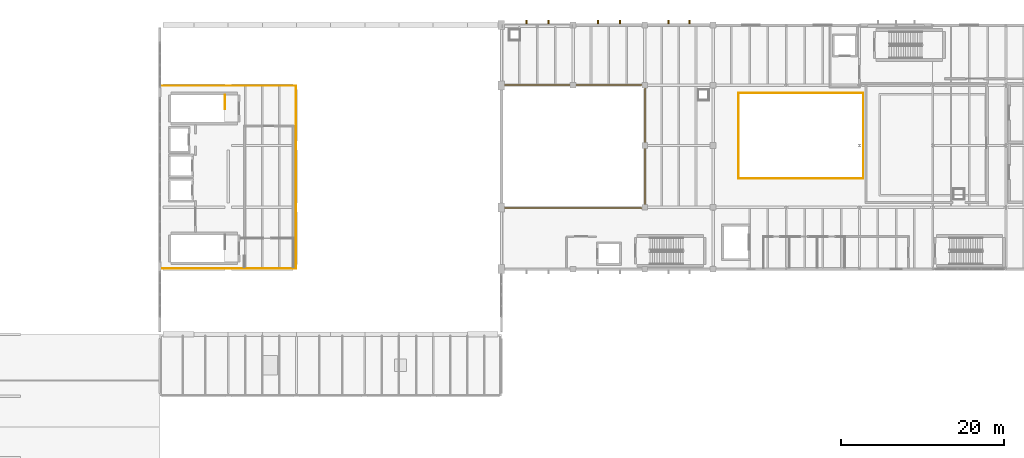
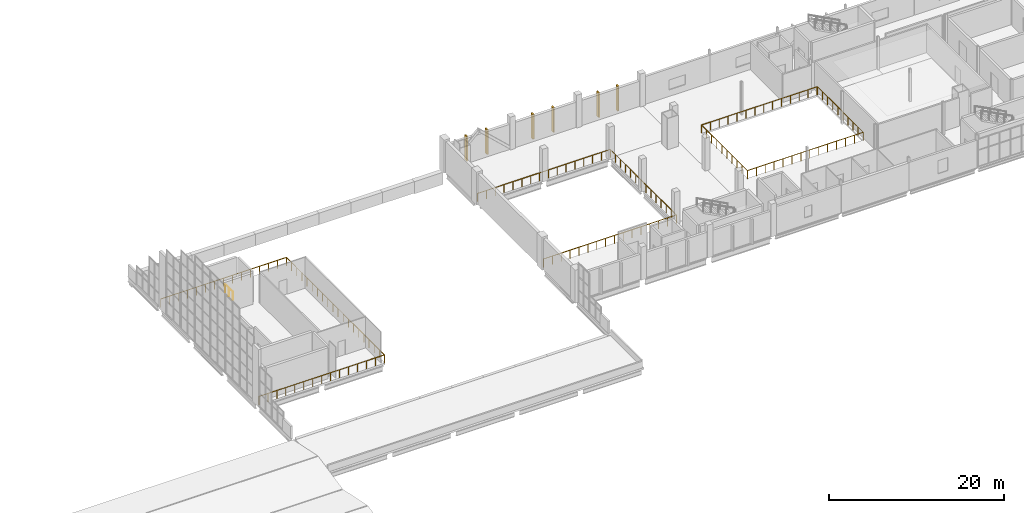
# One storey, part 35 of 37: 6 shading devices, 5 railings.
"""IFC4 building model written with IfcOpenShell, lengths in metres."""

from ifc_helpers import new_model, si_unit, direction, frame, origin, origin_2d, place, context, subcontext, project, spatial, rectangle, circle, extrude, material, layer, layer_set, type_object, element, save


model = new_model("IFC4")

# Units and contexts
model_context = context("Model", 3, precision=1e-05, world=origin(), true_north=direction((0.0, 1.0)))
body_context = subcontext(model_context, "Body", "Model", "MODEL_VIEW")
ifc_project = project(units=[si_unit("LENGTHUNIT", "METRE"), si_unit("AREAUNIT", "SQUARE_METRE"), si_unit("VOLUMEUNIT", "CUBIC_METRE"), si_unit("PLANEANGLEUNIT", "RADIAN"), si_unit("MASSUNIT", "GRAM", prefix="KILO")], contexts=[model_context])

# Site, building, storey
site_placement = place(None, origin())
site = spatial("IfcSite", under=ifc_project, at=site_placement, CompositionType="ELEMENT")
building_placement = place(site_placement, origin())
building = spatial("IfcBuilding", under=site, at=building_placement, Name="Shengluoqiao Park Theatre", CompositionType="ELEMENT")
storey_placement = place(building_placement, frame((0.0, 0.0, 19.199951171875)))
storey = spatial("IfcBuildingStorey", under=building, at=storey_placement, Name="L04", CompositionType="ELEMENT", Elevation=19.199951171875)

# Shading devices
ifc_material_1 = material(Name="Concrete C45", Category="concrete")
ifc_layer = layer(ifc_material_1, 0.179931640625, Name="Concrete C45")
ifc_layer_set = layer_set([ifc_layer], Name="Concrete C45")
shading_device_type = type_object("IfcShadingDeviceType", Name="ENV-FIN-450x180", PredefinedType="USERDEFINED", material=ifc_layer_set)
for number, where, z_axis, x_axis, name in (
    (1, (89.484619140625, 114.39990234375, 0.02001953125), (0.0, 0.0, 1.0), (0.0, 1.0, 0.0), "L04 Vertical Concrete Acoustic Rib 0096"),
    (2, (92.165283203125, 114.39990234375, 0.02001953125), (0.0, 0.0, 1.0), (0.0, 1.0, 0.0), "L04 Vertical Concrete Acoustic Rib 0097"),
    (3, (98.251220703125, 114.39990234375, 0.02001953125), (0.0, 0.0, 1.0), (0.0, 1.0, 0.0), "L04 Vertical Concrete Acoustic Rib 0098"),
    (4, (100.94873046875, 114.39990234375, 0.02001953125), (0.0, 0.0, 1.0), (0.0, 1.0, 0.0), "L04 Vertical Concrete Acoustic Rib 0099"),
    (5, (106.91796875, 114.39990234375, 0.02001953125), (0.0, 0.0, 1.0), (0.0, 1.0, 0.0), "L04 Vertical Concrete Acoustic Rib 0100"),
    (6, (109.48193359375, 114.39990234375, 0.02001953125), (0.0, 0.0, 1.0), (0.0, 1.0, 0.0), "L04 Vertical Concrete Acoustic Rib 0101"),
):
    element("IfcShadingDevice", number, at=place(storey_placement, frame(where, z_axis=z_axis, x_axis=x_axis)), inside=storey, type_object=shading_device_type, Name=name, ObjectType="FIN", PredefinedType="USERDEFINED", context=body_context, shape_type="SweptSolid", body=[
        extrude(rectangle(XDim=0.449951171875, YDim=0.179931640625, at=origin_2d()), origin(), (0.0, 0.0, 1.0), 3.47802734375),
    ])

# Railings
ifc_material_2 = material(Name="Steel Q355", Category="steel")
railing_type_1 = type_object("IfcRailingType", Name="INT-RL-FLY115", PredefinedType="GUARDRAIL", material=ifc_material_2)
railing_1_placement = place(storey_placement, frame((115.5400390625, 95.139892578125, 0.0)))
element("IfcRailing", 7, at=railing_1_placement, inside=storey, type_object=railing_type_1, Name="L04 VOID-L04-REH South-East Balustrade 0016", PredefinedType="GUARDRAIL", context=body_context, shape_type="SweptSolid", body=[
    extrude(circle(Radius=0.02392578125, at=origin_2d()), frame((0.0, 0.0, 1.1259765625), z_axis=(1.0, 0.0, 0.0), x_axis=(0.0, 1.0, 0.0)), (0.0, 0.0, 1.0), 15.320068359375),
    extrude(circle(Radius=0.02392578125, at=origin_2d()), frame((15.320068359375, 0.0, 1.1259765625), z_axis=(0.0, 1.0, 0.0), x_axis=(-1.0, 0.0, 0.0)), (0.0, 0.0, 1.0), 10.480224609375),
    extrude(circle(Radius=0.02099609375, at=origin_2d()), origin(), (0.0, 0.0, 1.0), 1.101806640625),
    extrude(circle(Radius=0.02099609375, at=origin_2d()), frame((1.178466796875, 0.0, 0.0)), (0.0, 0.0, 1.0), 1.101806640625),
    extrude(circle(Radius=0.02099609375, at=origin_2d()), frame((2.35693359375, 0.0, 0.0)), (0.0, 0.0, 1.0), 1.101806640625),
    extrude(circle(Radius=0.02099609375, at=origin_2d()), frame((3.535400390625, 0.0, 0.0)), (0.0, 0.0, 1.0), 1.101806640625),
    extrude(circle(Radius=0.02099609375, at=origin_2d()), frame((4.7138671875, 0.0, 0.0)), (0.0, 0.0, 1.0), 1.101806640625),
    extrude(circle(Radius=0.02099609375, at=origin_2d()), frame((5.892333984375, 0.0, 0.0)), (0.0, 0.0, 1.0), 1.101806640625),
    extrude(circle(Radius=0.02099609375, at=origin_2d()), frame((7.07080078125, 0.0, 0.0)), (0.0, 0.0, 1.0), 1.101806640625),
    extrude(circle(Radius=0.02099609375, at=origin_2d()), frame((8.249267578125, 0.0, 0.0)), (0.0, 0.0, 1.0), 1.101806640625),
    extrude(circle(Radius=0.02099609375, at=origin_2d()), frame((9.427734375, 0.0, 0.0)), (0.0, 0.0, 1.0), 1.101806640625),
    extrude(circle(Radius=0.02099609375, at=origin_2d()), frame((10.606201171875, 0.0, 0.0)), (0.0, 0.0, 1.0), 1.101806640625),
    extrude(circle(Radius=0.02099609375, at=origin_2d()), frame((11.78466796875, 0.0, 0.0)), (0.0, 0.0, 1.0), 1.101806640625),
    extrude(circle(Radius=0.02099609375, at=origin_2d()), frame((12.963134765625, 0.0, 0.0)), (0.0, 0.0, 1.0), 1.101806640625),
    extrude(circle(Radius=0.02099609375, at=origin_2d()), frame((14.1416015625, 0.0, 0.0)), (0.0, 0.0, 1.0), 1.101806640625),
    extrude(circle(Radius=0.02099609375, at=origin_2d()), frame((15.320068359375, 0.0, 0.0)), (0.0, 0.0, 1.0), 1.101806640625),
    extrude(circle(Radius=0.02099609375, at=origin_2d()), frame((15.320068359375, 1.16455078125, 0.0)), (0.0, 0.0, 1.0), 1.101806640625),
    extrude(circle(Radius=0.02099609375, at=origin_2d()), frame((15.320068359375, 2.328857421875, 0.0)), (0.0, 0.0, 1.0), 1.101806640625),
    extrude(circle(Radius=0.02099609375, at=origin_2d()), frame((15.320068359375, 3.493408203125, 0.0)), (0.0, 0.0, 1.0), 1.101806640625),
    extrude(circle(Radius=0.02099609375, at=origin_2d()), frame((15.320068359375, 4.657958984375, 0.0)), (0.0, 0.0, 1.0), 1.101806640625),
    extrude(circle(Radius=0.02099609375, at=origin_2d()), frame((15.320068359375, 5.822265625, 0.0)), (0.0, 0.0, 1.0), 1.101806640625),
    extrude(circle(Radius=0.02099609375, at=origin_2d()), frame((15.320068359375, 6.98681640625, 0.0)), (0.0, 0.0, 1.0), 1.101806640625),
    extrude(circle(Radius=0.02099609375, at=origin_2d()), frame((15.320068359375, 8.1513671875, 0.0)), (0.0, 0.0, 1.0), 1.101806640625),
    extrude(circle(Radius=0.02099609375, at=origin_2d()), frame((15.320068359375, 9.315673828125, 0.0)), (0.0, 0.0, 1.0), 1.101806640625),
    extrude(circle(Radius=0.02099609375, at=origin_2d()), frame((15.320068359375, 10.480224609375, 0.0)), (0.0, 0.0, 1.0), 1.101806640625),
])
railing_2_placement = place(storey_placement, frame((130.820068359375, 105.659912109375, 0.0)))
element("IfcRailing", 8, at=railing_2_placement, inside=storey, type_object=railing_type_1, Name="L04 VOID-L04-REH North-West Balustrade 0017", PredefinedType="GUARDRAIL", context=body_context, shape_type="SweptSolid", body=[
    extrude(circle(Radius=0.02392578125, at=origin_2d()), frame((0.0, 0.0, 1.1259765625), z_axis=(-1.0, 0.0, 0.0), x_axis=(0.0, -1.0, 0.0)), (0.0, 0.0, 1.0), 15.280029296875),
    extrude(circle(Radius=0.02392578125, at=origin_2d()), frame((-15.280029296875, 0.0, 1.1259765625), z_axis=(0.0, -1.0, 0.0), x_axis=(1.0, 0.0, 0.0)), (0.0, 0.0, 1.0), 10.47998046875),
    extrude(circle(Radius=0.02099609375, at=origin_2d()), origin(), (0.0, 0.0, 1.0), 1.101806640625),
    extrude(circle(Radius=0.02099609375, at=origin_2d()), frame((-1.17529296875, 0.0, 0.0)), (0.0, 0.0, 1.0), 1.101806640625),
    extrude(circle(Radius=0.02099609375, at=origin_2d()), frame((-2.350830078125, 0.0, 0.0)), (0.0, 0.0, 1.0), 1.101806640625),
    extrude(circle(Radius=0.02099609375, at=origin_2d()), frame((-3.526123046875, 0.0, 0.0)), (0.0, 0.0, 1.0), 1.101806640625),
    extrude(circle(Radius=0.02099609375, at=origin_2d()), frame((-4.70166015625, 0.0, 0.0)), (0.0, 0.0, 1.0), 1.101806640625),
    extrude(circle(Radius=0.02099609375, at=origin_2d()), frame((-5.876953125, 0.0, 0.0)), (0.0, 0.0, 1.0), 1.101806640625),
    extrude(circle(Radius=0.02099609375, at=origin_2d()), frame((-7.05224609375, 0.0, 0.0)), (0.0, 0.0, 1.0), 1.101806640625),
    extrude(circle(Radius=0.02099609375, at=origin_2d()), frame((-8.227783203125, 0.0, 0.0)), (0.0, 0.0, 1.0), 1.101806640625),
    extrude(circle(Radius=0.02099609375, at=origin_2d()), frame((-9.403076171875, 0.0, 0.0)), (0.0, 0.0, 1.0), 1.101806640625),
    extrude(circle(Radius=0.02099609375, at=origin_2d()), frame((-10.578369140625, 0.0, 0.0)), (0.0, 0.0, 1.0), 1.101806640625),
    extrude(circle(Radius=0.02099609375, at=origin_2d()), frame((-11.75390625, 0.0, 0.0)), (0.0, 0.0, 1.0), 1.101806640625),
    extrude(circle(Radius=0.02099609375, at=origin_2d()), frame((-12.92919921875, 0.0, 0.0)), (0.0, 0.0, 1.0), 1.101806640625),
    extrude(circle(Radius=0.02099609375, at=origin_2d()), frame((-14.104736328125, 0.0, 0.0)), (0.0, 0.0, 1.0), 1.101806640625),
    extrude(circle(Radius=0.02099609375, at=origin_2d()), frame((-15.280029296875, 0.0, 0.0)), (0.0, 0.0, 1.0), 1.101806640625),
    extrude(circle(Radius=0.02099609375, at=origin_2d()), frame((-15.280029296875, -1.16455078125, 0.0)), (0.0, 0.0, 1.0), 1.101806640625),
    extrude(circle(Radius=0.02099609375, at=origin_2d()), frame((-15.280029296875, -2.328857421875, 0.0)), (0.0, 0.0, 1.0), 1.101806640625),
    extrude(circle(Radius=0.02099609375, at=origin_2d()), frame((-15.280029296875, -3.493408203125, 0.0)), (0.0, 0.0, 1.0), 1.101806640625),
    extrude(circle(Radius=0.02099609375, at=origin_2d()), frame((-15.280029296875, -4.65771484375, 0.0)), (0.0, 0.0, 1.0), 1.101806640625),
    extrude(circle(Radius=0.02099609375, at=origin_2d()), frame((-15.280029296875, -5.822265625, 0.0)), (0.0, 0.0, 1.0), 1.101806640625),
    extrude(circle(Radius=0.02099609375, at=origin_2d()), frame((-15.280029296875, -6.986572265625, 0.0)), (0.0, 0.0, 1.0), 1.101806640625),
    extrude(circle(Radius=0.02099609375, at=origin_2d()), frame((-15.280029296875, -8.151123046875, 0.0)), (0.0, 0.0, 1.0), 1.101806640625),
    extrude(circle(Radius=0.02099609375, at=origin_2d()), frame((-15.280029296875, -9.3154296875, 0.0)), (0.0, 0.0, 1.0), 1.101806640625),
    extrude(circle(Radius=0.02099609375, at=origin_2d()), frame((-15.280029296875, -10.47998046875, 0.0)), (0.0, 0.0, 1.0), 1.101806640625),
])
railing_3_placement = place(storey_placement, frame((44.52001953125, 84.06005859375, 0.0)))
element("IfcRailing", 9, at=railing_3_placement, inside=storey, type_object=railing_type_1, Name="L04 Fourth Level Followspot Gallery Guardrail 0026", PredefinedType="GUARDRAIL", context=body_context, shape_type="SweptSolid", body=[
    extrude(circle(Radius=0.02392578125, at=origin_2d()), frame((0.0, 0.0, 1.1259765625), z_axis=(1.0, 0.0, 0.0), x_axis=(0.0, 1.0, 0.0)), (0.0, 0.0, 1.0), 16.619873046875),
    extrude(circle(Radius=0.02392578125, at=origin_2d()), frame((16.619873046875, 0.0, 1.1259765625), z_axis=(0.0, 1.0, 0.0), x_axis=(-1.0, 0.0, 0.0)), (0.0, 0.0, 1.0), 22.47998046875),
    extrude(circle(Radius=0.02392578125, at=origin_2d()), frame((16.619873046875, 22.47998046875, 1.1259765625), z_axis=(-1.0, 0.0, 0.0), x_axis=(0.0, -1.0, 0.0)), (0.0, 0.0, 1.0), 16.619873046875),
    extrude(circle(Radius=0.02099609375, at=origin_2d()), origin(), (0.0, 0.0, 1.0), 1.101806640625),
    extrude(circle(Radius=0.02099609375, at=origin_2d()), frame((1.18701171875, 0.0, 0.0)), (0.0, 0.0, 1.0), 1.101806640625),
    extrude(circle(Radius=0.02099609375, at=origin_2d()), frame((2.374267578125, 0.0, 0.0)), (0.0, 0.0, 1.0), 1.101806640625),
    extrude(circle(Radius=0.02099609375, at=origin_2d()), frame((3.5615234375, 0.0, 0.0)), (0.0, 0.0, 1.0), 1.101806640625),
    extrude(circle(Radius=0.02099609375, at=origin_2d()), frame((4.74853515625, 0.0, 0.0)), (0.0, 0.0, 1.0), 1.101806640625),
    extrude(circle(Radius=0.02099609375, at=origin_2d()), frame((5.935546875, 0.0, 0.0)), (0.0, 0.0, 1.0), 1.101806640625),
    extrude(circle(Radius=0.02099609375, at=origin_2d()), frame((7.122802734375, 0.0, 0.0)), (0.0, 0.0, 1.0), 1.101806640625),
    extrude(circle(Radius=0.02099609375, at=origin_2d()), frame((8.31005859375, 0.0, 0.0)), (0.0, 0.0, 1.0), 1.101806640625),
    extrude(circle(Radius=0.02099609375, at=origin_2d()), frame((9.4970703125, 0.0, 0.0)), (0.0, 0.0, 1.0), 1.101806640625),
    extrude(circle(Radius=0.02099609375, at=origin_2d()), frame((10.68408203125, 0.0, 0.0)), (0.0, 0.0, 1.0), 1.101806640625),
    extrude(circle(Radius=0.02099609375, at=origin_2d()), frame((11.871337890625, 0.0, 0.0)), (0.0, 0.0, 1.0), 1.101806640625),
    extrude(circle(Radius=0.02099609375, at=origin_2d()), frame((13.05859375, 0.0, 0.0)), (0.0, 0.0, 1.0), 1.101806640625),
    extrude(circle(Radius=0.02099609375, at=origin_2d()), frame((14.24560546875, 0.0, 0.0)), (0.0, 0.0, 1.0), 1.101806640625),
    extrude(circle(Radius=0.02099609375, at=origin_2d()), frame((15.4326171875, 0.0, 0.0)), (0.0, 0.0, 1.0), 1.101806640625),
    extrude(circle(Radius=0.02099609375, at=origin_2d()), frame((16.619873046875, 0.0, 0.0)), (0.0, 0.0, 1.0), 1.101806640625),
    extrude(circle(Radius=0.02099609375, at=origin_2d()), frame((16.619873046875, 1.18310546875, 0.0)), (0.0, 0.0, 1.0), 1.101806640625),
    extrude(circle(Radius=0.02099609375, at=origin_2d()), frame((16.619873046875, 2.3662109375, 0.0)), (0.0, 0.0, 1.0), 1.101806640625),
    extrude(circle(Radius=0.02099609375, at=origin_2d()), frame((16.619873046875, 3.549560546875, 0.0)), (0.0, 0.0, 1.0), 1.101806640625),
    extrude(circle(Radius=0.02099609375, at=origin_2d()), frame((16.619873046875, 4.732666015625, 0.0)), (0.0, 0.0, 1.0), 1.101806640625),
    extrude(circle(Radius=0.02099609375, at=origin_2d()), frame((16.619873046875, 5.915771484375, 0.0)), (0.0, 0.0, 1.0), 1.101806640625),
    extrude(circle(Radius=0.02099609375, at=origin_2d()), frame((16.619873046875, 7.098876953125, 0.0)), (0.0, 0.0, 1.0), 1.101806640625),
    extrude(circle(Radius=0.02099609375, at=origin_2d()), frame((16.619873046875, 8.281982421875, 0.0)), (0.0, 0.0, 1.0), 1.101806640625),
    extrude(circle(Radius=0.02099609375, at=origin_2d()), frame((16.619873046875, 9.46533203125, 0.0)), (0.0, 0.0, 1.0), 1.101806640625),
    extrude(circle(Radius=0.02099609375, at=origin_2d()), frame((16.619873046875, 10.6484375, 0.0)), (0.0, 0.0, 1.0), 1.101806640625),
    extrude(circle(Radius=0.02099609375, at=origin_2d()), frame((16.619873046875, 11.83154296875, 0.0)), (0.0, 0.0, 1.0), 1.101806640625),
    extrude(circle(Radius=0.02099609375, at=origin_2d()), frame((16.619873046875, 13.0146484375, 0.0)), (0.0, 0.0, 1.0), 1.101806640625),
    extrude(circle(Radius=0.02099609375, at=origin_2d()), frame((16.619873046875, 14.197998046875, 0.0)), (0.0, 0.0, 1.0), 1.101806640625),
    extrude(circle(Radius=0.02099609375, at=origin_2d()), frame((16.619873046875, 15.381103515625, 0.0)), (0.0, 0.0, 1.0), 1.101806640625),
    extrude(circle(Radius=0.02099609375, at=origin_2d()), frame((16.619873046875, 16.564208984375, 0.0)), (0.0, 0.0, 1.0), 1.101806640625),
    extrude(circle(Radius=0.02099609375, at=origin_2d()), frame((16.619873046875, 17.747314453125, 0.0)), (0.0, 0.0, 1.0), 1.101806640625),
    extrude(circle(Radius=0.02099609375, at=origin_2d()), frame((16.619873046875, 18.930419921875, 0.0)), (0.0, 0.0, 1.0), 1.101806640625),
    extrude(circle(Radius=0.02099609375, at=origin_2d()), frame((16.619873046875, 20.11376953125, 0.0)), (0.0, 0.0, 1.0), 1.101806640625),
    extrude(circle(Radius=0.02099609375, at=origin_2d()), frame((16.619873046875, 21.296875, 0.0)), (0.0, 0.0, 1.0), 1.101806640625),
    extrude(circle(Radius=0.02099609375, at=origin_2d()), frame((16.619873046875, 22.47998046875, 0.0)), (0.0, 0.0, 1.0), 1.101806640625),
    extrude(circle(Radius=0.02099609375, at=origin_2d()), frame((15.4326171875, 22.47998046875, 0.0)), (0.0, 0.0, 1.0), 1.101806640625),
    extrude(circle(Radius=0.02099609375, at=origin_2d()), frame((14.24560546875, 22.47998046875, 0.0)), (0.0, 0.0, 1.0), 1.101806640625),
    extrude(circle(Radius=0.02099609375, at=origin_2d()), frame((13.05859375, 22.47998046875, 0.0)), (0.0, 0.0, 1.0), 1.101806640625),
    extrude(circle(Radius=0.02099609375, at=origin_2d()), frame((11.871337890625, 22.47998046875, 0.0)), (0.0, 0.0, 1.0), 1.101806640625),
    extrude(circle(Radius=0.02099609375, at=origin_2d()), frame((10.68408203125, 22.47998046875, 0.0)), (0.0, 0.0, 1.0), 1.101806640625),
    extrude(circle(Radius=0.02099609375, at=origin_2d()), frame((9.4970703125, 22.47998046875, 0.0)), (0.0, 0.0, 1.0), 1.101806640625),
    extrude(circle(Radius=0.02099609375, at=origin_2d()), frame((8.31005859375, 22.47998046875, 0.0)), (0.0, 0.0, 1.0), 1.101806640625),
    extrude(circle(Radius=0.02099609375, at=origin_2d()), frame((7.122802734375, 22.47998046875, 0.0)), (0.0, 0.0, 1.0), 1.101806640625),
    extrude(circle(Radius=0.02099609375, at=origin_2d()), frame((5.935546875, 22.47998046875, 0.0)), (0.0, 0.0, 1.0), 1.101806640625),
    extrude(circle(Radius=0.02099609375, at=origin_2d()), frame((4.74853515625, 22.47998046875, 0.0)), (0.0, 0.0, 1.0), 1.101806640625),
    extrude(circle(Radius=0.02099609375, at=origin_2d()), frame((3.5615234375, 22.47998046875, 0.0)), (0.0, 0.0, 1.0), 1.101806640625),
    extrude(circle(Radius=0.02099609375, at=origin_2d()), frame((2.374267578125, 22.47998046875, 0.0)), (0.0, 0.0, 1.0), 1.101806640625),
    extrude(circle(Radius=0.02099609375, at=origin_2d()), frame((1.18701171875, 22.47998046875, 0.0)), (0.0, 0.0, 1.0), 1.101806640625),
    extrude(circle(Radius=0.02099609375, at=origin_2d()), frame((0.0, 22.47998046875, 0.0)), (0.0, 0.0, 1.0), 1.101806640625),
])
railing_4_placement = place(storey_placement, frame((86.5, 91.5400390625, 0.0)))
element("IfcRailing", 10, at=railing_4_placement, inside=storey, type_object=railing_type_1, Name="L04 Stage Fly Gallery Inner Safety Rail 0030", PredefinedType="GUARDRAIL", context=body_context, shape_type="SweptSolid", body=[
    extrude(circle(Radius=0.02392578125, at=origin_2d()), frame((0.0, 0.0, 1.1259765625), z_axis=(1.0, 0.0, 0.0), x_axis=(0.0, 1.0, 0.0)), (0.0, 0.0, 1.0), 17.56005859375),
    extrude(circle(Radius=0.02392578125, at=origin_2d()), frame((17.56005859375, 0.0, 1.1259765625), z_axis=(0.0, 1.0, 0.0), x_axis=(-1.0, 0.0, 0.0)), (0.0, 0.0, 1.0), 15.119873046875),
    extrude(circle(Radius=0.02392578125, at=origin_2d()), frame((17.56005859375, 15.119873046875, 1.1259765625), z_axis=(-1.0, 0.0, 0.0), x_axis=(0.0, -1.0, 0.0)), (0.0, 0.0, 1.0), 17.56005859375),
    extrude(circle(Radius=0.02099609375, at=origin_2d()), origin(), (0.0, 0.0, 1.0), 1.101806640625),
    extrude(circle(Radius=0.02099609375, at=origin_2d()), frame((1.170654296875, 0.0, 0.0)), (0.0, 0.0, 1.0), 1.101806640625),
    extrude(circle(Radius=0.02099609375, at=origin_2d()), frame((2.34130859375, 0.0, 0.0)), (0.0, 0.0, 1.0), 1.101806640625),
    extrude(circle(Radius=0.02099609375, at=origin_2d()), frame((3.511962890625, 0.0, 0.0)), (0.0, 0.0, 1.0), 1.101806640625),
    extrude(circle(Radius=0.02099609375, at=origin_2d()), frame((4.6826171875, 0.0, 0.0)), (0.0, 0.0, 1.0), 1.101806640625),
    extrude(circle(Radius=0.02099609375, at=origin_2d()), frame((5.853271484375, 0.0, 0.0)), (0.0, 0.0, 1.0), 1.101806640625),
    extrude(circle(Radius=0.02099609375, at=origin_2d()), frame((7.02392578125, 0.0, 0.0)), (0.0, 0.0, 1.0), 1.101806640625),
    extrude(circle(Radius=0.02099609375, at=origin_2d()), frame((8.194580078125, 0.0, 0.0)), (0.0, 0.0, 1.0), 1.101806640625),
    extrude(circle(Radius=0.02099609375, at=origin_2d()), frame((9.365478515625, 0.0, 0.0)), (0.0, 0.0, 1.0), 1.101806640625),
    extrude(circle(Radius=0.02099609375, at=origin_2d()), frame((10.5361328125, 0.0, 0.0)), (0.0, 0.0, 1.0), 1.101806640625),
    extrude(circle(Radius=0.02099609375, at=origin_2d()), frame((11.706787109375, 0.0, 0.0)), (0.0, 0.0, 1.0), 1.101806640625),
    extrude(circle(Radius=0.02099609375, at=origin_2d()), frame((12.87744140625, 0.0, 0.0)), (0.0, 0.0, 1.0), 1.101806640625),
    extrude(circle(Radius=0.02099609375, at=origin_2d()), frame((14.048095703125, 0.0, 0.0)), (0.0, 0.0, 1.0), 1.101806640625),
    extrude(circle(Radius=0.02099609375, at=origin_2d()), frame((15.21875, 0.0, 0.0)), (0.0, 0.0, 1.0), 1.101806640625),
    extrude(circle(Radius=0.02099609375, at=origin_2d()), frame((16.389404296875, 0.0, 0.0)), (0.0, 0.0, 1.0), 1.101806640625),
    extrude(circle(Radius=0.02099609375, at=origin_2d()), frame((17.56005859375, 0.0, 0.0)), (0.0, 0.0, 1.0), 1.101806640625),
    extrude(circle(Radius=0.02099609375, at=origin_2d()), frame((17.56005859375, 1.1630859375, 0.0)), (0.0, 0.0, 1.0), 1.101806640625),
    extrude(circle(Radius=0.02099609375, at=origin_2d()), frame((17.56005859375, 2.326171875, 0.0)), (0.0, 0.0, 1.0), 1.101806640625),
    extrude(circle(Radius=0.02099609375, at=origin_2d()), frame((17.56005859375, 3.4892578125, 0.0)), (0.0, 0.0, 1.0), 1.101806640625),
    extrude(circle(Radius=0.02099609375, at=origin_2d()), frame((17.56005859375, 4.65234375, 0.0)), (0.0, 0.0, 1.0), 1.101806640625),
    extrude(circle(Radius=0.02099609375, at=origin_2d()), frame((17.56005859375, 5.8154296875, 0.0)), (0.0, 0.0, 1.0), 1.101806640625),
    extrude(circle(Radius=0.02099609375, at=origin_2d()), frame((17.56005859375, 6.978515625, 0.0)), (0.0, 0.0, 1.0), 1.101806640625),
    extrude(circle(Radius=0.02099609375, at=origin_2d()), frame((17.56005859375, 8.141357421875, 0.0)), (0.0, 0.0, 1.0), 1.101806640625),
    extrude(circle(Radius=0.02099609375, at=origin_2d()), frame((17.56005859375, 9.304443359375, 0.0)), (0.0, 0.0, 1.0), 1.101806640625),
    extrude(circle(Radius=0.02099609375, at=origin_2d()), frame((17.56005859375, 10.467529296875, 0.0)), (0.0, 0.0, 1.0), 1.101806640625),
    extrude(circle(Radius=0.02099609375, at=origin_2d()), frame((17.56005859375, 11.630615234375, 0.0)), (0.0, 0.0, 1.0), 1.101806640625),
    extrude(circle(Radius=0.02099609375, at=origin_2d()), frame((17.56005859375, 12.793701171875, 0.0)), (0.0, 0.0, 1.0), 1.101806640625),
    extrude(circle(Radius=0.02099609375, at=origin_2d()), frame((17.56005859375, 13.956787109375, 0.0)), (0.0, 0.0, 1.0), 1.101806640625),
    extrude(circle(Radius=0.02099609375, at=origin_2d()), frame((17.56005859375, 15.119873046875, 0.0)), (0.0, 0.0, 1.0), 1.101806640625),
    extrude(circle(Radius=0.02099609375, at=origin_2d()), frame((16.389404296875, 15.119873046875, 0.0)), (0.0, 0.0, 1.0), 1.101806640625),
    extrude(circle(Radius=0.02099609375, at=origin_2d()), frame((15.21875, 15.119873046875, 0.0)), (0.0, 0.0, 1.0), 1.101806640625),
    extrude(circle(Radius=0.02099609375, at=origin_2d()), frame((14.048095703125, 15.119873046875, 0.0)), (0.0, 0.0, 1.0), 1.101806640625),
    extrude(circle(Radius=0.02099609375, at=origin_2d()), frame((12.87744140625, 15.119873046875, 0.0)), (0.0, 0.0, 1.0), 1.101806640625),
    extrude(circle(Radius=0.02099609375, at=origin_2d()), frame((11.706787109375, 15.119873046875, 0.0)), (0.0, 0.0, 1.0), 1.101806640625),
    extrude(circle(Radius=0.02099609375, at=origin_2d()), frame((10.5361328125, 15.119873046875, 0.0)), (0.0, 0.0, 1.0), 1.101806640625),
    extrude(circle(Radius=0.02099609375, at=origin_2d()), frame((9.365478515625, 15.119873046875, 0.0)), (0.0, 0.0, 1.0), 1.101806640625),
    extrude(circle(Radius=0.02099609375, at=origin_2d()), frame((8.194580078125, 15.119873046875, 0.0)), (0.0, 0.0, 1.0), 1.101806640625),
    extrude(circle(Radius=0.02099609375, at=origin_2d()), frame((7.02392578125, 15.119873046875, 0.0)), (0.0, 0.0, 1.0), 1.101806640625),
    extrude(circle(Radius=0.02099609375, at=origin_2d()), frame((5.853271484375, 15.119873046875, 0.0)), (0.0, 0.0, 1.0), 1.101806640625),
    extrude(circle(Radius=0.02099609375, at=origin_2d()), frame((4.6826171875, 15.119873046875, 0.0)), (0.0, 0.0, 1.0), 1.101806640625),
    extrude(circle(Radius=0.02099609375, at=origin_2d()), frame((3.511962890625, 15.119873046875, 0.0)), (0.0, 0.0, 1.0), 1.101806640625),
    extrude(circle(Radius=0.02099609375, at=origin_2d()), frame((2.34130859375, 15.119873046875, 0.0)), (0.0, 0.0, 1.0), 1.101806640625),
    extrude(circle(Radius=0.02099609375, at=origin_2d()), frame((1.170654296875, 15.119873046875, 0.0)), (0.0, 0.0, 1.0), 1.101806640625),
    extrude(circle(Radius=0.02099609375, at=origin_2d()), frame((0.0, 15.119873046875, 0.0)), (0.0, 0.0, 1.0), 1.101806640625),
])
ifc_material_3 = material(Name="Painted steel", Category="steel")
railing_type_2 = type_object("IfcRailingType", Name="INT-RL-STGRD", PredefinedType="GUARDRAIL", material=ifc_material_3)
railing_5_placement = place(storey_placement, frame((52.39990234375, 105.39990234375, 0.0)))
element("IfcRailing", 11, at=railing_5_placement, inside=storey, type_object=railing_type_2, Name="L04 ST-03 top well guard 1", PredefinedType="GUARDRAIL", context=body_context, shape_type="SweptSolid", body=[
    extrude(circle(Radius=0.02392578125, at=origin_2d()), frame((0.0, 0.0, 1.1259765625), z_axis=(0.0, -1.0, 0.0), x_axis=(1.0, 0.0, 0.0)), (0.0, 0.0, 1.0), 1.739990234375),
    extrude(circle(Radius=0.02099609375, at=origin_2d()), origin(), (0.0, 0.0, 1.0), 1.101806640625),
    extrude(circle(Radius=0.02099609375, at=origin_2d()), frame((0.0, -0.8701171875, 0.0)), (0.0, 0.0, 1.0), 1.101806640625),
    extrude(circle(Radius=0.02099609375, at=origin_2d()), frame((0.0, -1.739990234375, 0.0)), (0.0, 0.0, 1.0), 1.101806640625),
])

save(model, "model.ifc")
